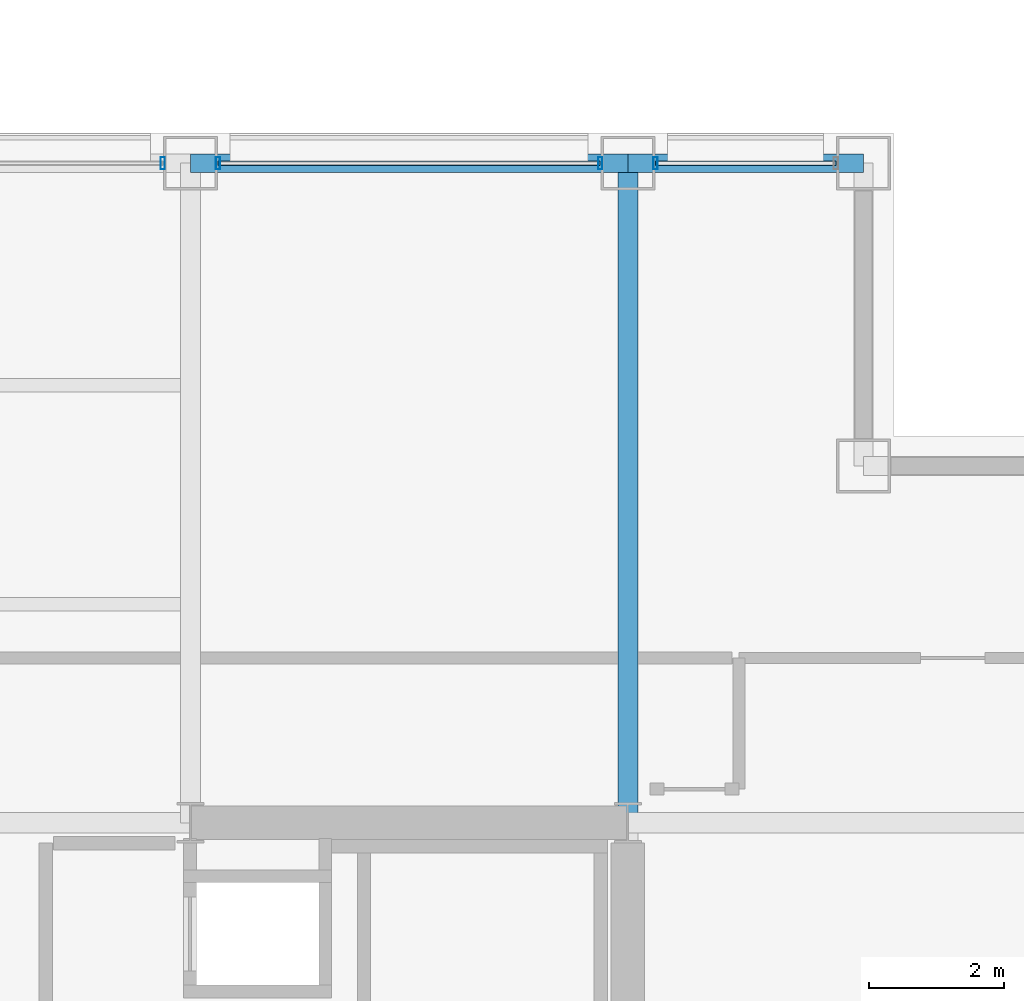
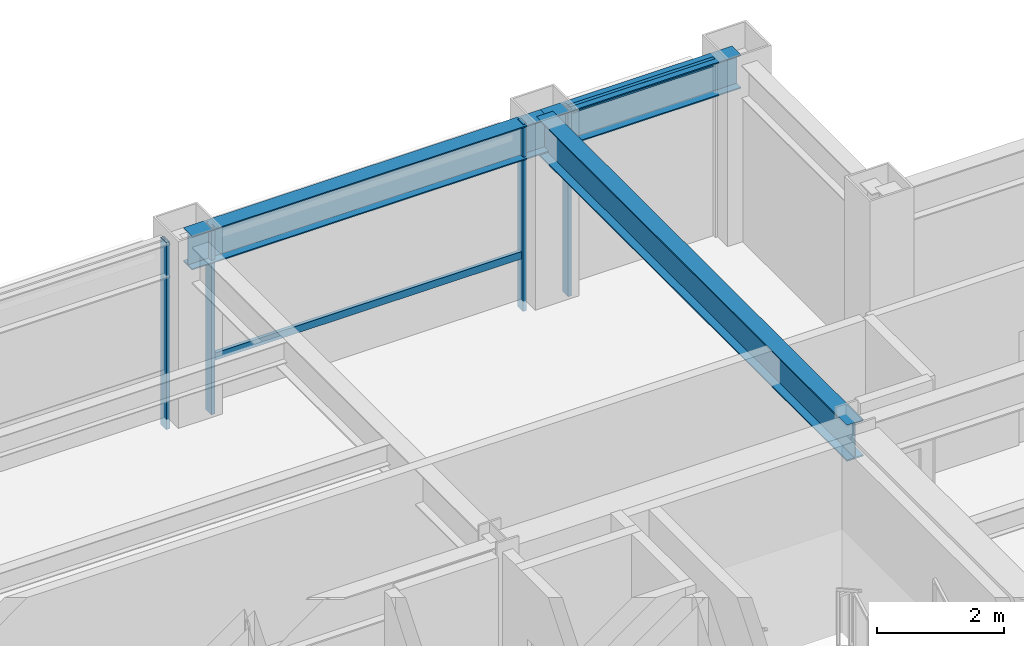
# One storey, part 21 of 29: 6 members, 3 beams, 3 elements without a shape of their own.
"""IFC4 building model written with IfcOpenShell, lengths in metres."""

from ifc_helpers import new_model, si_unit, direction, frame, origin, origin_2d, place, context, subcontext, project, spatial, hollow_rectangle, i_section, extrude, material, layer, layer_set, material_profile, profile_set, type_object, element, aggregate, save


model = new_model("IFC4")

# Units and contexts
model_context = context("Model", 3, precision=1e-05, world=origin(), true_north=direction((0.0, 1.0)))
body_context = subcontext(model_context, "Body", "Model", "MODEL_VIEW")
ifc_project = project(units=[si_unit("LENGTHUNIT", "METRE"), si_unit("AREAUNIT", "SQUARE_METRE"), si_unit("VOLUMEUNIT", "CUBIC_METRE"), si_unit("PLANEANGLEUNIT", "RADIAN"), si_unit("MASSUNIT", "GRAM", prefix="KILO")], contexts=[model_context])

# Site, building, storey
site_placement = place(None, origin())
site = spatial("IfcSite", under=ifc_project, at=site_placement, CompositionType="ELEMENT")
building_placement = place(site_placement, origin())
building = spatial("IfcBuilding", under=site, at=building_placement, Name="Brelmoor Portico Tower", CompositionType="ELEMENT")
storey_placement = place(building_placement, frame((0.0, 0.0, 124.199951171875)))
storey = spatial("IfcBuildingStorey", under=building, at=storey_placement, Name="L32", CompositionType="ELEMENT", Elevation=124.199951171875)

# Beams
ifc_material_1 = material(Name="Steel Q355B", Category="steel")
ifc_material_profile_1 = material_profile(ifc_material_1, i_section(OverallWidth=0.300048828125, OverallDepth=0.699951171875, WebThickness=0.012939453125, FlangeThickness=0.02392578125, at=origin_2d()), Name="HN 700x300x13x24")
ifc_profile_set_1 = profile_set([ifc_material_profile_1], Name="Steel Q355B")
beam_type_1 = type_object("IfcBeamType", Name="BM-PG-700", PredefinedType="BEAM", material=ifc_profile_set_1)
beam_1_placement = place(storey_placement, frame((14.550048828125, 9.75, 3.050048828125), z_axis=(0.0, 1.0, 0.0), x_axis=(-1.0, 0.0, 0.0)))
element("IfcBeam", 1, at=beam_1_placement, inside=storey, type_object=beam_type_1, Name="L32 Primary Floor Girder PG-13", PredefinedType="BEAM", context=body_context, shape_type="SweptSolid", body=[
    extrude(i_section(OverallWidth=0.300048828125, OverallDepth=0.699951171875, WebThickness=0.012939453125, FlangeThickness=0.02392578125, at=origin_2d()), origin(), (0.0, 0.0, 1.0), 9.800048828125),
])
ifc_material_profile_2 = material_profile(ifc_material_1, i_section(OverallWidth=0.280029296875, OverallDepth=0.64990234375, WebThickness=0.012939453125, FlangeThickness=0.02197265625, at=origin_2d()), Name="HN 650x280x13x22")
ifc_profile_set_2 = profile_set([ifc_material_profile_2], Name="Steel Q355B")
beam_type_2 = type_object("IfcBeamType", Name="BM-SP-650", PredefinedType="SPANDREL", material=ifc_profile_set_2)
beam_2_placement = place(storey_placement, frame((8.050048828125, 19.550048828125, 3.074951171875), z_axis=(1.0, 0.0, 0.0), x_axis=(0.0, 1.0, 0.0)))
element("IfcBeam", 2, at=beam_2_placement, inside=storey, type_object=beam_type_2, Name="L32 Perimeter Spandrel Beam SP-13", PredefinedType="SPANDREL", context=body_context, shape_type="SweptSolid", body=[
    extrude(i_section(OverallWidth=0.280029296875, OverallDepth=0.64990234375, WebThickness=0.012939453125, FlangeThickness=0.02197265625, at=origin_2d()), origin(), (0.0, 0.0, 1.0), 6.5),
])
beam_3_placement = place(storey_placement, frame((14.550048828125, 19.550048828125, 3.074951171875), z_axis=(1.0, 0.0, 0.0), x_axis=(0.0, 1.0, 0.0)))
element("IfcBeam", 3, at=beam_3_placement, inside=storey, type_object=beam_type_2, Name="L32 Perimeter Spandrel Beam SP-14", PredefinedType="SPANDREL", context=body_context, shape_type="SweptSolid", body=[
    extrude(i_section(OverallWidth=0.280029296875, OverallDepth=0.64990234375, WebThickness=0.012939453125, FlangeThickness=0.02197265625, at=origin_2d()), origin(), (0.0, 0.0, 1.0), 3.5),
])

# Curtain wall, member
ifc_material_2 = material(Name="Anodised Aluminium Alloy 6063-T6", Category="aluminium")
ifc_layer_1 = layer(ifc_material_2, 0.179931640625)
ifc_layer_set_1 = layer_set([ifc_layer_1], Name="Anodised Aluminium Alloy 6063-T6")
curtain_wall_type_1 = type_object("IfcCurtainWallType", Name="CW-TOWER-Z2", PredefinedType="NOTDEFINED", material=ifc_layer_set_1)
curtain_wall_1_placement = place(storey_placement, origin())
curtain_wall_1 = element("IfcCurtainWall", 4, at=curtain_wall_1_placement, inside=storey, type_object=curtain_wall_type_1, Name="L32 Curtain Wall CW-L32-2R-1", PredefinedType="NOTDEFINED")
ifc_material_profile_3 = material_profile(ifc_material_2, hollow_rectangle(XDim=0.06494140625, YDim=0.179931640625, WallThickness=0.00390625, at=origin_2d()), Name="ALU MULLION 65x180")
ifc_profile_set_3 = profile_set([ifc_material_profile_3], Name="Anodised Aluminium Alloy 6063-T6")
member_type_1 = type_object("IfcMemberType", Name="MB-CW-MULL-180", PredefinedType="MULLION", material=ifc_profile_set_3)
member_1_placement = place(storey_placement, frame((7.639892578125, 19.550048828125, -0.199951171875), z_axis=(0.0, 0.0, 1.0), x_axis=(1.0, 0.0, 0.0)))
member_1 = element("IfcMember", 5, at=member_1_placement, type_object=member_type_1, Name="CW-L32-2R-1 Mullion 01", PredefinedType="MULLION", context=body_context, shape_type="SweptSolid", body=[
    extrude(hollow_rectangle(XDim=0.06494140625, YDim=0.179931640625, WallThickness=0.00390625, at=origin_2d()), origin(), (0.0, 0.0, 1.0), 3.60009765625),
])
aggregate(curtain_wall_1, [member_1])

# Curtain wall, members
curtain_wall_2_placement = place(storey_placement, origin())
curtain_wall_2 = element("IfcCurtainWall", 6, at=curtain_wall_2_placement, inside=storey, type_object=curtain_wall_type_1, Name="L32 Curtain Wall CW-L32-2R-2", PredefinedType="NOTDEFINED")
member_2_placement = place(storey_placement, frame((8.4599609375, 19.550048828125, -0.199951171875), z_axis=(0.0, 0.0, 1.0), x_axis=(1.0, 0.0, 0.0)))
member_2 = element("IfcMember", 7, at=member_2_placement, type_object=member_type_1, Name="CW-L32-2R-2 Mullion 00", PredefinedType="MULLION", context=body_context, shape_type="SweptSolid", body=[
    extrude(hollow_rectangle(XDim=0.06494140625, YDim=0.179931640625, WallThickness=0.00390625, at=origin_2d()), origin(), (0.0, 0.0, 1.0), 3.60009765625),
])
member_3_placement = place(storey_placement, frame((14.139892578125, 19.550048828125, -0.199951171875), z_axis=(0.0, 0.0, 1.0), x_axis=(1.0, 0.0, 0.0)))
member_3 = element("IfcMember", 8, at=member_3_placement, type_object=member_type_1, Name="CW-L32-2R-2 Mullion 01", PredefinedType="MULLION", context=body_context, shape_type="SweptSolid", body=[
    extrude(hollow_rectangle(XDim=0.06494140625, YDim=0.179931640625, WallThickness=0.00390625, at=origin_2d()), origin(), (0.0, 0.0, 1.0), 3.60009765625),
])

# Curtain wall, member
ifc_layer_2 = layer(ifc_material_2, 0.179931640625)
ifc_layer_set_2 = layer_set([ifc_layer_2], Name="Anodised Aluminium Alloy 6063-T6")
curtain_wall_type_2 = type_object("IfcCurtainWallType", Name="CW-TOWER-Z2-XB", PredefinedType="NOTDEFINED", material=ifc_layer_set_2)
curtain_wall_3_placement = place(storey_placement, origin())
curtain_wall_3 = element("IfcCurtainWall", 9, at=curtain_wall_3_placement, inside=storey, type_object=curtain_wall_type_2, Name="L32 Curtain Wall CW-L32-2R-3", PredefinedType="NOTDEFINED")
member_4_placement = place(storey_placement, frame((14.9599609375, 19.550048828125, -0.199951171875), z_axis=(0.0, 0.0, 1.0), x_axis=(1.0, 0.0, 0.0)))
member_4 = element("IfcMember", 10, at=member_4_placement, type_object=member_type_1, Name="CW-L32-2R-3 Mullion 00", PredefinedType="MULLION", context=body_context, shape_type="SweptSolid", body=[
    extrude(hollow_rectangle(XDim=0.06494140625, YDim=0.179931640625, WallThickness=0.00390625, at=origin_2d()), origin(), (0.0, 0.0, 1.0), 3.60009765625),
])

# Member
ifc_material_profile_4 = material_profile(ifc_material_2, hollow_rectangle(XDim=0.06494140625, YDim=0.139892578125, WallThickness=0.00390625, at=origin_2d()), Name="ALU TRANSOM 65x140")
ifc_profile_set_4 = profile_set([ifc_material_profile_4], Name="Anodised Aluminium Alloy 6063-T6")
member_type_2 = type_object("IfcMemberType", Name="MB-CW-TRAN-140", PredefinedType="USERDEFINED", material=ifc_profile_set_4)
member_5_placement = place(storey_placement, frame((8.4599609375, 19.550048828125, 0.85009765625), z_axis=(1.0, 0.0, 0.0), x_axis=(0.0, 1.0, 0.0)))
member_5 = element("IfcMember", 11, at=member_5_placement, type_object=member_type_2, Name="CW-L32-2R-2 Transom 1-00", ObjectType="TRANSOM", PredefinedType="USERDEFINED", context=body_context, shape_type="SweptSolid", body=[
    extrude(hollow_rectangle(XDim=0.06494140625, YDim=0.139892578125, WallThickness=0.00390625, at=origin_2d()), origin(), (0.0, 0.0, 1.0), 5.679931640625),
])

aggregate(curtain_wall_2, [member_2, member_3, member_5])

member_6_placement = place(storey_placement, frame((14.9599609375, 19.550048828125, 3.330078125), z_axis=(1.0, 0.0, 0.0), x_axis=(0.0, 1.0, 0.0)))
member_6 = element("IfcMember", 12, at=member_6_placement, type_object=member_type_2, Name="CW-L32-2R-3 Transom 1-00", ObjectType="TRANSOM", PredefinedType="USERDEFINED", context=body_context, shape_type="SweptSolid", body=[
    extrude(hollow_rectangle(XDim=0.06494140625, YDim=0.139892578125, WallThickness=0.00390625, at=origin_2d()), origin(), (0.0, 0.0, 1.0), 2.679931640625),
])

aggregate(curtain_wall_3, [member_4, member_6])

save(model, "model.ifc")
